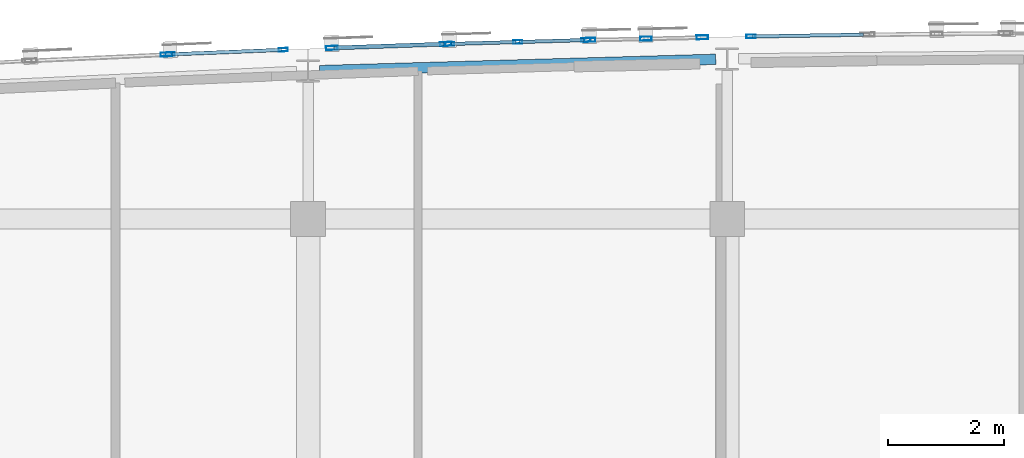
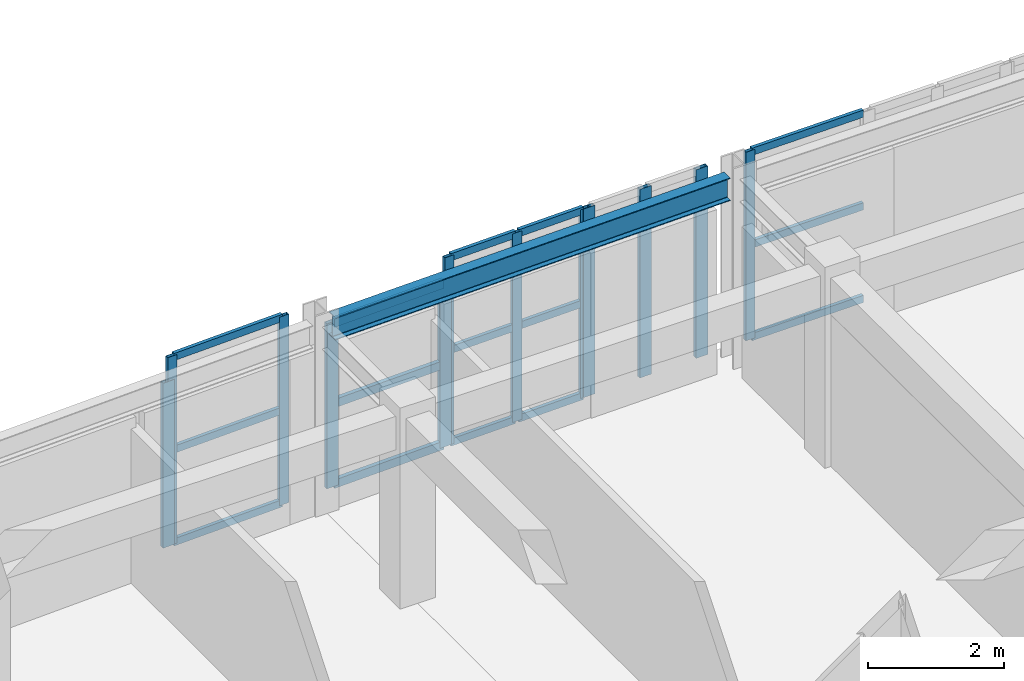
# One storey, part 14 of 41: 27 members, 1 beam, 6 elements without a shape of their own.
"""IFC4 building model written with IfcOpenShell, lengths in metres."""

from ifc_helpers import new_model, si_unit, direction, frame, origin, origin_2d, place, context, subcontext, project, spatial, hollow_rectangle, i_section, extrude, material, layer, layer_set, material_profile, profile_set, type_object, element, aggregate, save


model = new_model("IFC4")

# Units and contexts
model_context = context("Model", 3, precision=1e-05, world=origin(), true_north=direction((0.0, 1.0)))
body_context = subcontext(model_context, "Body", "Model", "MODEL_VIEW")
ifc_project = project(units=[si_unit("LENGTHUNIT", "METRE"), si_unit("AREAUNIT", "SQUARE_METRE"), si_unit("VOLUMEUNIT", "CUBIC_METRE"), si_unit("PLANEANGLEUNIT", "RADIAN"), si_unit("MASSUNIT", "GRAM", prefix="KILO")], contexts=[model_context])

# Site, building, storey
site_placement = place(None, origin())
site = spatial("IfcSite", under=ifc_project, at=site_placement, CompositionType="ELEMENT")
building_placement = place(site_placement, origin())
building = spatial("IfcBuilding", under=site, at=building_placement, Name="Carrowvane Square Congress Hotel", CompositionType="ELEMENT")
storey_placement = place(building_placement, frame((0.0, 0.0, 37.199951171875)))
storey = spatial("IfcBuildingStorey", under=building, at=storey_placement, Name="L09", CompositionType="ELEMENT", Elevation=37.199951171875)

# Beam
ifc_material_1 = material(Name="Steel S355", Category="steel")
ifc_material_profile_1 = material_profile(ifc_material_1, i_section(OverallWidth=0.1787109375, OverallDepth=0.409423828125, WebThickness=0.0087890625, FlangeThickness=0.014404296875, FilletRadius=0.01025390625, at=origin_2d()), Name="UKB 406x178x67")
ifc_profile_set_1 = profile_set([ifc_material_profile_1], Name="Steel S355")
beam_type = type_object("IfcBeamType", Name="BM-ST-UKB406", PredefinedType="BEAM", material=ifc_profile_set_1)
beam_placement = place(storey_placement, frame((83.79736328125, 115.94970703125, 3.17529296875), z_axis=(0.999592525084, 0.028544417936, 0.0), x_axis=(-0.028544417936, 0.999592525084, 0.0)))
element("IfcBeam", 1, at=beam_placement, inside=storey, type_object=beam_type, Name="L10 curved north spandrel", PredefinedType="BEAM", context=body_context, shape_type="SweptSolid", body=[
    extrude(i_section(OverallWidth=0.1787109375, OverallDepth=0.409423828125, WebThickness=0.0087890625, FlangeThickness=0.014404296875, FilletRadius=0.01025390625, at=origin_2d()), origin(), (0.0, 0.0, 1.0), 6.80810546875),
])

# Curtain wall, members
ifc_material_2 = material(Name="Anodised aluminium", Category="aluminium")
ifc_layer_1 = layer(ifc_material_2, 0.2099609375)
ifc_layer_set_1 = layer_set([ifc_layer_1], Name="Anodised aluminium")
curtain_wall_type_1 = type_object("IfcCurtainWallType", Name="CW-SYS-5", PredefinedType="NOTDEFINED", material=ifc_layer_set_1)
curtain_wall_1_placement = place(storey_placement, origin())
curtain_wall_1 = element("IfcCurtainWall", 2, at=curtain_wall_1_placement, inside=storey, type_object=curtain_wall_type_1, Name="L09 unitised curtain wall 524", PredefinedType="NOTDEFINED")
ifc_material_3 = material(Name="Anodised aluminium", Category="aluminium")
ifc_material_profile_2 = material_profile(ifc_material_3, hollow_rectangle(XDim=0.06005859375, YDim=0.159912109375, WallThickness=0.00390625, at=origin_2d()), Name="CW-ML 60x160x4")
ifc_profile_set_2 = profile_set([ifc_material_profile_2], Name="Anodised aluminium")
member_type_1 = type_object("IfcMemberType", Name="CW-MUL-1", PredefinedType="MULLION", material=ifc_profile_set_2)
member_1_placement = place(storey_placement, frame((81.22998046875, 116.228759765625, 0.0), z_axis=(0.0, 0.0, 1.0), x_axis=(-0.040135742379, 0.999194236464, 0.0)))
member_1 = element("IfcMember", 3, at=member_1_placement, type_object=member_type_1, Name="CW-5 mullion 1", PredefinedType="MULLION", context=body_context, shape_type="SweptSolid", body=[
    extrude(hollow_rectangle(XDim=0.06005859375, YDim=0.159912109375, WallThickness=0.00390625, at=origin_2d()), origin(), (0.0, 0.0, 1.0), 3.380126953125),
])
member_2_placement = place(storey_placement, frame((83.171142578125, 116.306884765625, 0.0), z_axis=(0.0, 0.0, 1.0), x_axis=(-0.040135742379, 0.999194236464, 0.0)))
member_2 = element("IfcMember", 4, at=member_2_placement, type_object=member_type_1, Name="CW-5 mullion 2", PredefinedType="MULLION", context=body_context, shape_type="SweptSolid", body=[
    extrude(hollow_rectangle(XDim=0.06005859375, YDim=0.159912109375, WallThickness=0.00390625, at=origin_2d()), origin(), (0.0, 0.0, 1.0), 3.380126953125),
])

ifc_material_4 = material(Name="Anodised aluminium", Category="aluminium")
ifc_layer_2 = layer(ifc_material_4, 0.23388671875)
ifc_layer_set_2 = layer_set([ifc_layer_2], Name="Anodised aluminium")
curtain_wall_type_2 = type_object("IfcCurtainWallType", Name="CW-SYS-7", PredefinedType="NOTDEFINED", material=ifc_layer_set_2)
curtain_wall_2_placement = place(storey_placement, origin())
curtain_wall_2 = element("IfcCurtainWall", 5, at=curtain_wall_2_placement, inside=storey, type_object=curtain_wall_type_2, Name="L09 unitised curtain wall 526", PredefinedType="NOTDEFINED")
member_3_placement = place(storey_placement, frame((86.030029296875, 116.40771484375, 0.0), z_axis=(0.0, 0.0, 1.0), x_axis=(-0.028638010501, 0.999589848065, 0.0)))
member_3 = element("IfcMember", 6, at=member_3_placement, type_object=member_type_1, Name="CW-7 mullion 1", PredefinedType="MULLION", context=body_context, shape_type="SweptSolid", body=[
    extrude(hollow_rectangle(XDim=0.06005859375, YDim=0.159912109375, WallThickness=0.00390625, at=origin_2d()), origin(), (0.0, 0.0, 1.0), 3.380126953125),
])
member_4_placement = place(storey_placement, frame((87.199951171875, 116.44140625, 0.0), z_axis=(0.0, 0.0, 1.0), x_axis=(-0.028638010501, 0.999589848065, 0.0)))
member_4 = element("IfcMember", 7, at=member_4_placement, type_object=member_type_1, Name="CW-7 mullion 2", PredefinedType="MULLION", context=body_context, shape_type="SweptSolid", body=[
    extrude(hollow_rectangle(XDim=0.06005859375, YDim=0.159912109375, WallThickness=0.00390625, at=origin_2d()), origin(), (0.0, 0.0, 1.0), 3.380126953125),
])
member_5_placement = place(storey_placement, frame((88.3701171875, 116.474853515625, 0.0), z_axis=(0.0, 0.0, 1.0), x_axis=(-0.028638010501, 0.999589848065, 0.0)))
member_5 = element("IfcMember", 8, at=member_5_placement, type_object=member_type_1, Name="CW-7 mullion 3", PredefinedType="MULLION", context=body_context, shape_type="SweptSolid", body=[
    extrude(hollow_rectangle(XDim=0.06005859375, YDim=0.159912109375, WallThickness=0.00390625, at=origin_2d()), origin(), (0.0, 0.0, 1.0), 3.380126953125),
])

# Curtain wall, member
ifc_material_5 = material(Name="Anodised aluminium", Category="aluminium")
ifc_layer_3 = layer(ifc_material_5, 0.162109375)
ifc_layer_set_3 = layer_set([ifc_layer_3], Name="Anodised aluminium")
curtain_wall_type_3 = type_object("IfcCurtainWallType", Name="CW-SYS-1", PredefinedType="NOTDEFINED", material=ifc_layer_set_3)
curtain_wall_3_placement = place(storey_placement, origin())
curtain_wall_3 = element("IfcCurtainWall", 9, at=curtain_wall_3_placement, inside=storey, type_object=curtain_wall_type_3, Name="L09 unitised curtain wall 528", PredefinedType="NOTDEFINED")
member_6_placement = place(storey_placement, frame((91.20751953125, 116.536376953125, 0.0), z_axis=(0.0, 0.0, 1.0), x_axis=(-0.016215981364, 0.99986851233, 0.0)))
member_6 = element("IfcMember", 10, at=member_6_placement, type_object=member_type_1, Name="CW-1 mullion 1", PredefinedType="MULLION", context=body_context, shape_type="SweptSolid", body=[
    extrude(hollow_rectangle(XDim=0.06005859375, YDim=0.159912109375, WallThickness=0.00390625, at=origin_2d()), origin(), (0.0, 0.0, 1.0), 3.380126953125),
])

ifc_material_6 = material(Name="Anodised aluminium", Category="aluminium")
ifc_layer_4 = layer(ifc_material_6, 0.197998046875)
ifc_layer_set_4 = layer_set([ifc_layer_4], Name="Anodised aluminium")
curtain_wall_type_4 = type_object("IfcCurtainWallType", Name="CW-SYS-4", PredefinedType="NOTDEFINED", material=ifc_layer_set_4)
curtain_wall_4_placement = place(storey_placement, origin())
curtain_wall_4 = element("IfcCurtainWall", 11, at=curtain_wall_4_placement, inside=storey, type_object=curtain_wall_type_4, Name="L09 unitised curtain wall 523", PredefinedType="NOTDEFINED")
ifc_material_7 = material(Name="Anodised aluminium", Category="aluminium")
ifc_material_profile_3 = material_profile(ifc_material_7, hollow_rectangle(XDim=0.070068359375, YDim=0.199951171875, WallThickness=0.0048828125, at=origin_2d()), Name="CW-ML 70x200x5")
ifc_profile_set_3 = profile_set([ifc_material_profile_3], Name="Anodised aluminium")
member_type_2 = type_object("IfcMemberType", Name="CW-MUL-2", PredefinedType="MULLION", material=ifc_profile_set_3)
member_7_placement = place(storey_placement, frame((81.1650390625, 116.22607421875, 0.0), z_axis=(0.0, 0.0, 1.0), x_axis=(-0.045411059449, 0.998968385726, 0.0)))
member_7 = element("IfcMember", 12, at=member_7_placement, type_object=member_type_2, Name="CW-4 mullion 2", PredefinedType="MULLION", context=body_context, shape_type="SweptSolid", body=[
    extrude(hollow_rectangle(XDim=0.070068359375, YDim=0.199951171875, WallThickness=0.0048828125, at=origin_2d()), origin(), (0.0, 0.0, 1.0), 2.95556640625),
])
aggregate(curtain_wall_4, [member_7])

# Curtain wall, members
ifc_material_8 = material(Name="Anodised aluminium", Category="aluminium")
ifc_layer_5 = layer(ifc_material_8, 0.221923828125)
ifc_layer_set_5 = layer_set([ifc_layer_5], Name="Anodised aluminium")
curtain_wall_type_5 = type_object("IfcCurtainWallType", Name="CW-SYS-6", PredefinedType="NOTDEFINED", material=ifc_layer_set_5)
curtain_wall_5_placement = place(storey_placement, origin())
curtain_wall_5 = element("IfcCurtainWall", 13, at=curtain_wall_5_placement, inside=storey, type_object=curtain_wall_type_5, Name="L09 unitised curtain wall 525", PredefinedType="NOTDEFINED")
member_8_placement = place(storey_placement, frame((84.005615234375, 116.338134765625, 0.0), z_axis=(0.0, 0.0, 1.0), x_axis=(-0.034526729036, 0.999403774749, 0.0)))
member_8 = element("IfcMember", 14, at=member_8_placement, type_object=member_type_2, Name="CW-6 mullion 1", PredefinedType="MULLION", context=body_context, shape_type="SweptSolid", body=[
    extrude(hollow_rectangle(XDim=0.070068359375, YDim=0.199951171875, WallThickness=0.0048828125, at=origin_2d()), origin(), (0.0, 0.0, 1.0), 2.95556640625),
])
member_9_placement = place(storey_placement, frame((85.965087890625, 116.40576171875, 0.0), z_axis=(0.0, 0.0, 1.0), x_axis=(-0.034526729036, 0.999403774749, 0.0)))
member_9 = element("IfcMember", 15, at=member_9_placement, type_object=member_type_2, Name="CW-6 mullion 2", PredefinedType="MULLION", context=body_context, shape_type="SweptSolid", body=[
    extrude(hollow_rectangle(XDim=0.070068359375, YDim=0.199951171875, WallThickness=0.0048828125, at=origin_2d()), origin(), (0.0, 0.0, 1.0), 2.95556640625),
])

ifc_material_9 = material(Name="Anodised aluminium", Category="aluminium")
ifc_layer_6 = layer(ifc_material_9, 0.24609375)
ifc_layer_set_6 = layer_set([ifc_layer_6], Name="Anodised aluminium")
curtain_wall_type_6 = type_object("IfcCurtainWallType", Name="CW-SYS-8", PredefinedType="NOTDEFINED", material=ifc_layer_set_6)
curtain_wall_6_placement = place(storey_placement, origin())
curtain_wall_6 = element("IfcCurtainWall", 16, at=curtain_wall_6_placement, inside=storey, type_object=curtain_wall_type_6, Name="L09 unitised curtain wall 527", PredefinedType="NOTDEFINED")
member_10_placement = place(storey_placement, frame((88.43505859375, 116.4765625, 0.0), z_axis=(0.0, 0.0, 1.0), x_axis=(-0.022517686606, 0.99974644475, 0.0)))
member_10 = element("IfcMember", 17, at=member_10_placement, type_object=member_type_2, Name="CW-8 mullion 1", PredefinedType="MULLION", context=body_context, shape_type="SweptSolid", body=[
    extrude(hollow_rectangle(XDim=0.070068359375, YDim=0.199951171875, WallThickness=0.0048828125, at=origin_2d()), origin(), (0.0, 0.0, 1.0), 3.380126953125),
])
member_11_placement = place(storey_placement, frame((89.40380859375, 116.498291015625, 0.0), z_axis=(0.0, 0.0, 1.0), x_axis=(-0.022517686606, 0.99974644475, 0.0)))
member_11 = element("IfcMember", 18, at=member_11_placement, type_object=member_type_2, Name="CW-8 mullion 2", PredefinedType="MULLION", context=body_context, shape_type="SweptSolid", body=[
    extrude(hollow_rectangle(XDim=0.070068359375, YDim=0.199951171875, WallThickness=0.0048828125, at=origin_2d()), origin(), (0.0, 0.0, 1.0), 3.380126953125),
])
member_12_placement = place(storey_placement, frame((90.372802734375, 116.52001953125, 0.0), z_axis=(0.0, 0.0, 1.0), x_axis=(-0.022517686606, 0.99974644475, 0.0)))
member_12 = element("IfcMember", 19, at=member_12_placement, type_object=member_type_2, Name="CW-8 mullion 3", PredefinedType="MULLION", context=body_context, shape_type="SweptSolid", body=[
    extrude(hollow_rectangle(XDim=0.070068359375, YDim=0.199951171875, WallThickness=0.0048828125, at=origin_2d()), origin(), (0.0, 0.0, 1.0), 3.380126953125),
])
aggregate(curtain_wall_6, [member_10, member_11, member_12])

# Member
ifc_material_10 = material(Name="Anodised aluminium", Category="aluminium")
ifc_material_profile_4 = material_profile(ifc_material_10, hollow_rectangle(XDim=0.06005859375, YDim=0.1298828125, WallThickness=0.00390625, at=origin_2d()), Name="CW-TR 60x130x4")
ifc_profile_set_4 = profile_set([ifc_material_profile_4], Name="Anodised aluminium")
member_type_3 = type_object("IfcMemberType", Name="CW-TRN-1", PredefinedType="USERDEFINED", material=ifc_profile_set_4)
member_13_placement = place(storey_placement, frame((81.260009765625, 116.22998046875, 0.030029296875), z_axis=(0.999191609431, 0.040201090061, 0.0), x_axis=(-0.040201090061, 0.999191609431, 0.0)))
member_13 = element("IfcMember", 20, at=member_13_placement, type_object=member_type_3, Name="CW-5 transom 1.1", ObjectType="TRANSOM", PredefinedType="USERDEFINED", context=body_context, shape_type="SweptSolid", body=[
    extrude(hollow_rectangle(XDim=0.06005859375, YDim=0.1298828125, WallThickness=0.00390625, at=origin_2d()), origin(), (0.0, 0.0, 1.0), 1.882568359375),
])

member_14_placement = place(storey_placement, frame((81.260009765625, 116.22998046875, 1.68994140625), z_axis=(0.999191609431, 0.040201090061, 0.0), x_axis=(-0.040201090061, 0.999191609431, 0.0)))
member_14 = element("IfcMember", 21, at=member_14_placement, type_object=member_type_3, Name="CW-5 transom 1.2", ObjectType="TRANSOM", PredefinedType="USERDEFINED", context=body_context, shape_type="SweptSolid", body=[
    extrude(hollow_rectangle(XDim=0.06005859375, YDim=0.1298828125, WallThickness=0.00390625, at=origin_2d()), origin(), (0.0, 0.0, 1.0), 1.882568359375),
])

member_15_placement = place(storey_placement, frame((81.260009765625, 116.22998046875, 3.35009765625), z_axis=(0.999191609431, 0.040201090061, 0.0), x_axis=(-0.040201090061, 0.999191609431, 0.0)))
member_15 = element("IfcMember", 22, at=member_15_placement, type_object=member_type_3, Name="CW-5 transom 1.3", ObjectType="TRANSOM", PredefinedType="USERDEFINED", context=body_context, shape_type="SweptSolid", body=[
    extrude(hollow_rectangle(XDim=0.06005859375, YDim=0.1298828125, WallThickness=0.00390625, at=origin_2d()), origin(), (0.0, 0.0, 1.0), 1.882568359375),
])

aggregate(curtain_wall_1, [member_1, member_2, member_13, member_14, member_15])

member_16_placement = place(storey_placement, frame((86.06005859375, 116.40869140625, 0.030029296875), z_axis=(0.999591368743, 0.02858488296, 0.0), x_axis=(-0.02858488296, 0.999591368743, 0.0)))
member_16 = element("IfcMember", 23, at=member_16_placement, type_object=member_type_3, Name="CW-7 transom 1.1", ObjectType="TRANSOM", PredefinedType="USERDEFINED", context=body_context, shape_type="SweptSolid", body=[
    extrude(hollow_rectangle(XDim=0.06005859375, YDim=0.1298828125, WallThickness=0.00390625, at=origin_2d()), origin(), (0.0, 0.0, 1.0), 1.1103515625),
])

member_17_placement = place(storey_placement, frame((86.06005859375, 116.40869140625, 1.68994140625), z_axis=(0.999591368743, 0.02858488296, 0.0), x_axis=(-0.02858488296, 0.999591368743, 0.0)))
member_17 = element("IfcMember", 24, at=member_17_placement, type_object=member_type_3, Name="CW-7 transom 1.2", ObjectType="TRANSOM", PredefinedType="USERDEFINED", context=body_context, shape_type="SweptSolid", body=[
    extrude(hollow_rectangle(XDim=0.06005859375, YDim=0.1298828125, WallThickness=0.00390625, at=origin_2d()), origin(), (0.0, 0.0, 1.0), 1.1103515625),
])

member_18_placement = place(storey_placement, frame((86.06005859375, 116.40869140625, 3.35009765625), z_axis=(0.999591368743, 0.02858488296, 0.0), x_axis=(-0.02858488296, 0.999591368743, 0.0)))
member_18 = element("IfcMember", 25, at=member_18_placement, type_object=member_type_3, Name="CW-7 transom 1.3", ObjectType="TRANSOM", PredefinedType="USERDEFINED", context=body_context, shape_type="SweptSolid", body=[
    extrude(hollow_rectangle(XDim=0.06005859375, YDim=0.1298828125, WallThickness=0.00390625, at=origin_2d()), origin(), (0.0, 0.0, 1.0), 1.1103515625),
])

member_19_placement = place(storey_placement, frame((87.22998046875, 116.442138671875, 0.030029296875), z_axis=(0.99959154835, 0.028578601558, 0.0), x_axis=(-0.028578601558, 0.99959154835, 0.0)))
member_19 = element("IfcMember", 26, at=member_19_placement, type_object=member_type_3, Name="CW-7 transom 2.1", ObjectType="TRANSOM", PredefinedType="USERDEFINED", context=body_context, shape_type="SweptSolid", body=[
    extrude(hollow_rectangle(XDim=0.06005859375, YDim=0.1298828125, WallThickness=0.00390625, at=origin_2d()), origin(), (0.0, 0.0, 1.0), 1.110595703125),
])

member_20_placement = place(storey_placement, frame((87.22998046875, 116.442138671875, 1.68994140625), z_axis=(0.99959154835, 0.028578601558, 0.0), x_axis=(-0.028578601558, 0.99959154835, 0.0)))
member_20 = element("IfcMember", 27, at=member_20_placement, type_object=member_type_3, Name="CW-7 transom 2.2", ObjectType="TRANSOM", PredefinedType="USERDEFINED", context=body_context, shape_type="SweptSolid", body=[
    extrude(hollow_rectangle(XDim=0.06005859375, YDim=0.1298828125, WallThickness=0.00390625, at=origin_2d()), origin(), (0.0, 0.0, 1.0), 1.110595703125),
])

member_21_placement = place(storey_placement, frame((87.22998046875, 116.442138671875, 3.35009765625), z_axis=(0.99959154835, 0.028578601558, 0.0), x_axis=(-0.028578601558, 0.99959154835, 0.0)))
member_21 = element("IfcMember", 28, at=member_21_placement, type_object=member_type_3, Name="CW-7 transom 2.3", ObjectType="TRANSOM", PredefinedType="USERDEFINED", context=body_context, shape_type="SweptSolid", body=[
    extrude(hollow_rectangle(XDim=0.06005859375, YDim=0.1298828125, WallThickness=0.00390625, at=origin_2d()), origin(), (0.0, 0.0, 1.0), 1.110595703125),
])

aggregate(curtain_wall_2, [member_3, member_4, member_5, member_16, member_17, member_18, member_19, member_20, member_21])

member_22_placement = place(storey_placement, frame((91.237548828125, 116.536865234375, 0.030029296875), z_axis=(0.999869284212, 0.016168317481, 0.0), x_axis=(-0.016168317481, 0.999869284212, 0.0)))
member_22 = element("IfcMember", 29, at=member_22_placement, type_object=member_type_3, Name="CW-1 transom 1.1", ObjectType="TRANSOM", PredefinedType="USERDEFINED", context=body_context, shape_type="SweptSolid", body=[
    extrude(hollow_rectangle(XDim=0.06005859375, YDim=0.1298828125, WallThickness=0.00390625, at=origin_2d()), origin(), (0.0, 0.0, 1.0), 1.902587890625),
])

member_23_placement = place(storey_placement, frame((91.237548828125, 116.536865234375, 1.68994140625), z_axis=(0.999869284212, 0.016168317481, 0.0), x_axis=(-0.016168317481, 0.999869284212, 0.0)))
member_23 = element("IfcMember", 30, at=member_23_placement, type_object=member_type_3, Name="CW-1 transom 1.2", ObjectType="TRANSOM", PredefinedType="USERDEFINED", context=body_context, shape_type="SweptSolid", body=[
    extrude(hollow_rectangle(XDim=0.06005859375, YDim=0.1298828125, WallThickness=0.00390625, at=origin_2d()), origin(), (0.0, 0.0, 1.0), 1.902587890625),
])

member_24_placement = place(storey_placement, frame((91.237548828125, 116.536865234375, 3.35009765625), z_axis=(0.999869284212, 0.016168317481, 0.0), x_axis=(-0.016168317481, 0.999869284212, 0.0)))
member_24 = element("IfcMember", 31, at=member_24_placement, type_object=member_type_3, Name="CW-1 transom 1.3", ObjectType="TRANSOM", PredefinedType="USERDEFINED", context=body_context, shape_type="SweptSolid", body=[
    extrude(hollow_rectangle(XDim=0.06005859375, YDim=0.1298828125, WallThickness=0.00390625, at=origin_2d()), origin(), (0.0, 0.0, 1.0), 1.902587890625),
])

aggregate(curtain_wall_3, [member_6, member_22, member_23, member_24])

ifc_material_11 = material(Name="Anodised aluminium", Category="aluminium")
ifc_material_profile_5 = material_profile(ifc_material_11, hollow_rectangle(XDim=0.070068359375, YDim=0.14990234375, WallThickness=0.0048828125, at=origin_2d()), Name="CW-TR 70x150x5")
ifc_profile_set_5 = profile_set([ifc_material_profile_5], Name="Anodised aluminium")
member_type_4 = type_object("IfcMemberType", Name="CW-TRN-2", PredefinedType="USERDEFINED", material=ifc_profile_set_5)
member_25_placement = place(storey_placement, frame((84.04052734375, 116.33935546875, 0.03515625), z_axis=(0.999405385709, 0.034480066932, 0.0), x_axis=(-0.034480066932, 0.999405385709, 0.0)))
member_25 = element("IfcMember", 32, at=member_25_placement, type_object=member_type_4, Name="CW-6 transom 1.1", ObjectType="TRANSOM", PredefinedType="USERDEFINED", context=body_context, shape_type="SweptSolid", body=[
    extrude(hollow_rectangle(XDim=0.070068359375, YDim=0.14990234375, WallThickness=0.0048828125, at=origin_2d()), origin(), (0.0, 0.0, 1.0), 1.890625),
])

member_26_placement = place(storey_placement, frame((84.04052734375, 116.33935546875, 1.477783203125), z_axis=(0.999405385709, 0.034480066932, 0.0), x_axis=(-0.034480066932, 0.999405385709, 0.0)))
member_26 = element("IfcMember", 33, at=member_26_placement, type_object=member_type_4, Name="CW-6 transom 1.2", ObjectType="TRANSOM", PredefinedType="USERDEFINED", context=body_context, shape_type="SweptSolid", body=[
    extrude(hollow_rectangle(XDim=0.070068359375, YDim=0.14990234375, WallThickness=0.0048828125, at=origin_2d()), origin(), (0.0, 0.0, 1.0), 1.890625),
])

member_27_placement = place(storey_placement, frame((84.04052734375, 116.33935546875, 2.920654296875), z_axis=(0.999405385709, 0.034480066932, 0.0), x_axis=(-0.034480066932, 0.999405385709, 0.0)))
member_27 = element("IfcMember", 34, at=member_27_placement, type_object=member_type_4, Name="CW-6 transom 1.3", ObjectType="TRANSOM", PredefinedType="USERDEFINED", context=body_context, shape_type="SweptSolid", body=[
    extrude(hollow_rectangle(XDim=0.070068359375, YDim=0.14990234375, WallThickness=0.0048828125, at=origin_2d()), origin(), (0.0, 0.0, 1.0), 1.890625),
])

aggregate(curtain_wall_5, [member_8, member_9, member_25, member_26, member_27])

save(model, "model.ifc")
